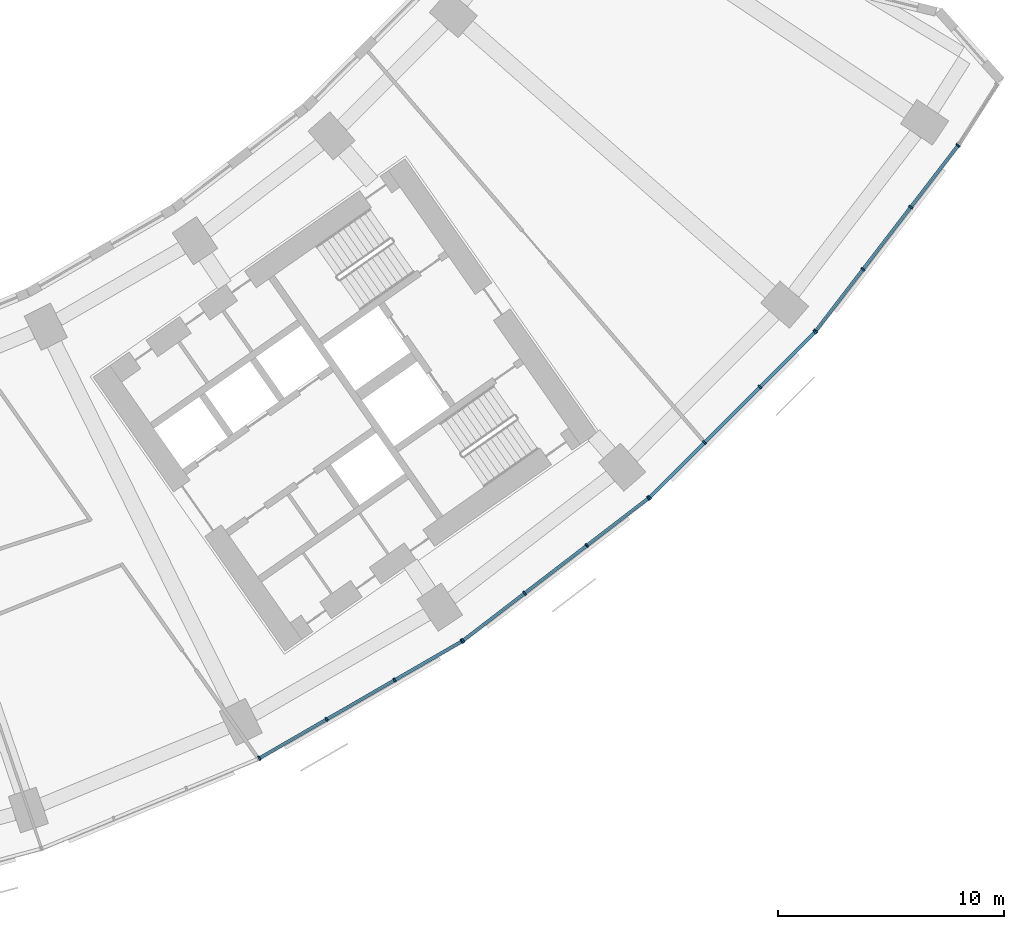
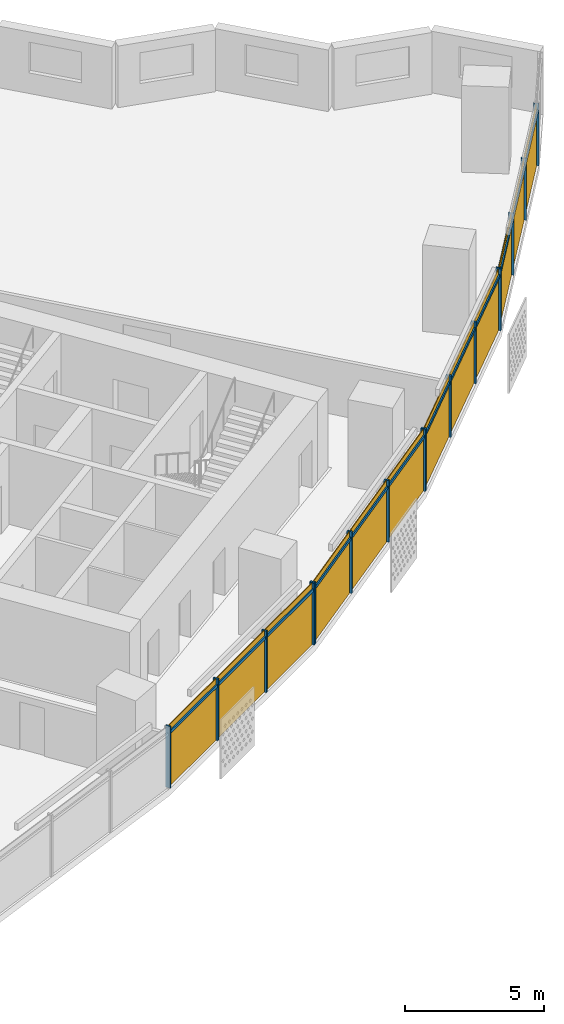
# One storey, part 22 of 31: 28 members, 4 curtain walls.
"""IFC4 building model written with IfcOpenShell, lengths in metres."""

from ifc_helpers import new_model, si_unit, direction, frame, origin, origin_2d, place, context, subcontext, project, spatial, rectangle, extrude, material, material_profile, profile_set, type_object, element, aggregate, save


model = new_model("IFC4")

# Units and contexts
model_context = context("Model", 3, precision=1e-05, world=origin(), true_north=direction((0.0, 1.0)))
body_context = subcontext(model_context, "Body", "Model", "MODEL_VIEW")
ifc_project = project(units=[si_unit("LENGTHUNIT", "METRE"), si_unit("AREAUNIT", "SQUARE_METRE"), si_unit("VOLUMEUNIT", "CUBIC_METRE"), si_unit("PLANEANGLEUNIT", "RADIAN"), si_unit("MASSUNIT", "GRAM", prefix="KILO")], contexts=[model_context])

# Member
ifc_material = material(Name="Aluminium 6063-T6 anodised", Category="aluminium")
ifc_material_profile_1 = material_profile(ifc_material, rectangle(XDim=0.199951171875, YDim=0.070068359375, at=origin_2d()))
ifc_profile_set_1 = profile_set([ifc_material_profile_1], Name="Aluminium 6063-T6 anodised")
member_type_1 = type_object("IfcMemberType", Name="Mullion 70 x 200 aluminium", PredefinedType="MULLION", material=ifc_profile_set_1)
site_placement = place(None, origin())
building_placement = place(site_placement, origin())
storey_placement = place(building_placement, frame((0.0, 0.0, 82.300048828125)))
member_1_placement = place(storey_placement, frame((35.20849609375, -71.331787109375, 0.0), z_axis=(0.0, 0.0, 1.0), x_axis=(-0.5, 0.866025403784, 0.0)))
member_1 = element("IfcMember", 1, at=member_1_placement, type_object=member_type_1, Name="e-cw1-L17-out12/M00", PredefinedType="MULLION", context=body_context, shape_type="SweptSolid", body=[
    extrude(rectangle(XDim=0.199951171875, YDim=0.070068359375, at=origin_2d()), origin(), (0.0, 0.0, 1.0), 2.699951171875),
])

member_2_placement = place(storey_placement, frame((38.18603515625, -69.61279296875, 0.0), z_axis=(0.0, 0.0, 1.0), x_axis=(-0.5, 0.866025403784, 0.0)))
member_2 = element("IfcMember", 2, at=member_2_placement, type_object=member_type_1, Name="e-cw1-L17-out12/M01", PredefinedType="MULLION", context=body_context, shape_type="SweptSolid", body=[
    extrude(rectangle(XDim=0.199951171875, YDim=0.070068359375, at=origin_2d()), origin(), (0.0, 0.0, 1.0), 2.699951171875),
])

member_3_placement = place(storey_placement, frame((41.193603515625, -67.87646484375, 0.0), z_axis=(0.0, 0.0, 1.0), x_axis=(-0.5, 0.866025403784, 0.0)))
member_3 = element("IfcMember", 3, at=member_3_placement, type_object=member_type_1, Name="e-cw1-L17-out12/M02", PredefinedType="MULLION", context=body_context, shape_type="SweptSolid", body=[
    extrude(rectangle(XDim=0.199951171875, YDim=0.070068359375, at=origin_2d()), origin(), (0.0, 0.0, 1.0), 2.699951171875),
])

member_4_placement = place(storey_placement, frame((44.1708984375, -66.157470703125, 0.0), z_axis=(0.0, 0.0, 1.0), x_axis=(-0.5, 0.866025403784, 0.0)))
member_4 = element("IfcMember", 4, at=member_4_placement, type_object=member_type_1, Name="e-cw1-L17-out12/M03", PredefinedType="MULLION", context=body_context, shape_type="SweptSolid", body=[
    extrude(rectangle(XDim=0.199951171875, YDim=0.070068359375, at=origin_2d()), origin(), (0.0, 0.0, 1.0), 2.699951171875),
])

member_5_placement = place(storey_placement, frame((44.218017578125, -66.1259765625, 0.0), z_axis=(0.0, 0.0, 1.0), x_axis=(-0.608761429009, 0.793353340291, 0.0)))
member_5 = element("IfcMember", 5, at=member_5_placement, type_object=member_type_1, Name="e-cw1-L17-out13/M00", PredefinedType="MULLION", context=body_context, shape_type="SweptSolid", body=[
    extrude(rectangle(XDim=0.199951171875, YDim=0.070068359375, at=origin_2d()), origin(), (0.0, 0.0, 1.0), 2.699951171875),
])

member_6_placement = place(storey_placement, frame((46.945556640625, -64.032958984375, 0.0), z_axis=(0.0, 0.0, 1.0), x_axis=(-0.608761429009, 0.793353340291, 0.0)))
member_6 = element("IfcMember", 6, at=member_6_placement, type_object=member_type_1, Name="e-cw1-L17-out13/M01", PredefinedType="MULLION", context=body_context, shape_type="SweptSolid", body=[
    extrude(rectangle(XDim=0.199951171875, YDim=0.070068359375, at=origin_2d()), origin(), (0.0, 0.0, 1.0), 2.699951171875),
])

member_7_placement = place(storey_placement, frame((49.70068359375, -61.9189453125, 0.0), z_axis=(0.0, 0.0, 1.0), x_axis=(-0.608761429009, 0.793353340291, 0.0)))
member_7 = element("IfcMember", 7, at=member_7_placement, type_object=member_type_1, Name="e-cw1-L17-out13/M02", PredefinedType="MULLION", context=body_context, shape_type="SweptSolid", body=[
    extrude(rectangle(XDim=0.199951171875, YDim=0.070068359375, at=origin_2d()), origin(), (0.0, 0.0, 1.0), 2.699951171875),
])

member_8_placement = place(storey_placement, frame((52.42822265625, -59.825927734375, 0.0), z_axis=(0.0, 0.0, 1.0), x_axis=(-0.608761429009, 0.793353340291, 0.0)))
member_8 = element("IfcMember", 8, at=member_8_placement, type_object=member_type_1, Name="e-cw1-L17-out13/M03", PredefinedType="MULLION", context=body_context, shape_type="SweptSolid", body=[
    extrude(rectangle(XDim=0.199951171875, YDim=0.070068359375, at=origin_2d()), origin(), (0.0, 0.0, 1.0), 2.699951171875),
])

member_9_placement = place(storey_placement, frame((52.470947265625, -59.78857421875, 0.0), z_axis=(0.0, 0.0, 1.0), x_axis=(-0.707106781187, 0.707106781187, 0.0)))
member_9 = element("IfcMember", 9, at=member_9_placement, type_object=member_type_1, Name="e-cw1-L17-out14/M00", PredefinedType="MULLION", context=body_context, shape_type="SweptSolid", body=[
    extrude(rectangle(XDim=0.199951171875, YDim=0.070068359375, at=origin_2d()), origin(), (0.0, 0.0, 1.0), 2.699951171875),
])

member_10_placement = place(storey_placement, frame((54.90185546875, -57.357666015625, 0.0), z_axis=(0.0, 0.0, 1.0), x_axis=(-0.707106781187, 0.707106781187, 0.0)))
member_10 = element("IfcMember", 10, at=member_10_placement, type_object=member_type_1, Name="e-cw1-L17-out14/M01", PredefinedType="MULLION", context=body_context, shape_type="SweptSolid", body=[
    extrude(rectangle(XDim=0.199951171875, YDim=0.070068359375, at=origin_2d()), origin(), (0.0, 0.0, 1.0), 2.699951171875),
])

member_11_placement = place(storey_placement, frame((57.357666015625, -54.90185546875, 0.0), z_axis=(0.0, 0.0, 1.0), x_axis=(-0.707106781187, 0.707106781187, 0.0)))
member_11 = element("IfcMember", 11, at=member_11_placement, type_object=member_type_1, Name="e-cw1-L17-out14/M02", PredefinedType="MULLION", context=body_context, shape_type="SweptSolid", body=[
    extrude(rectangle(XDim=0.199951171875, YDim=0.070068359375, at=origin_2d()), origin(), (0.0, 0.0, 1.0), 2.699951171875),
])

member_12_placement = place(storey_placement, frame((59.78857421875, -52.470947265625, 0.0), z_axis=(0.0, 0.0, 1.0), x_axis=(-0.707106781187, 0.707106781187, 0.0)))
member_12 = element("IfcMember", 12, at=member_12_placement, type_object=member_type_1, Name="e-cw1-L17-out14/M03", PredefinedType="MULLION", context=body_context, shape_type="SweptSolid", body=[
    extrude(rectangle(XDim=0.199951171875, YDim=0.070068359375, at=origin_2d()), origin(), (0.0, 0.0, 1.0), 2.699951171875),
])

member_13_placement = place(storey_placement, frame((59.825927734375, -52.42822265625, 0.0), z_axis=(0.0, 0.0, 1.0), x_axis=(-0.793353340291, 0.608761429009, 0.0)))
member_13 = element("IfcMember", 13, at=member_13_placement, type_object=member_type_1, Name="e-cw1-L17-out15/M00", PredefinedType="MULLION", context=body_context, shape_type="SweptSolid", body=[
    extrude(rectangle(XDim=0.199951171875, YDim=0.070068359375, at=origin_2d()), origin(), (0.0, 0.0, 1.0), 2.699951171875),
])

member_14_placement = place(storey_placement, frame((61.9189453125, -49.70068359375, 0.0), z_axis=(0.0, 0.0, 1.0), x_axis=(-0.793353340291, 0.608761429009, 0.0)))
member_14 = element("IfcMember", 14, at=member_14_placement, type_object=member_type_1, Name="e-cw1-L17-out15/M01", PredefinedType="MULLION", context=body_context, shape_type="SweptSolid", body=[
    extrude(rectangle(XDim=0.199951171875, YDim=0.070068359375, at=origin_2d()), origin(), (0.0, 0.0, 1.0), 2.699951171875),
])

member_15_placement = place(storey_placement, frame((64.032958984375, -46.945556640625, 0.0), z_axis=(0.0, 0.0, 1.0), x_axis=(-0.793353340291, 0.608761429009, 0.0)))
member_15 = element("IfcMember", 15, at=member_15_placement, type_object=member_type_1, Name="e-cw1-L17-out15/M02", PredefinedType="MULLION", context=body_context, shape_type="SweptSolid", body=[
    extrude(rectangle(XDim=0.199951171875, YDim=0.070068359375, at=origin_2d()), origin(), (0.0, 0.0, 1.0), 2.699951171875),
])

member_16_placement = place(storey_placement, frame((66.1259765625, -44.218017578125, 0.0), z_axis=(0.0, 0.0, 1.0), x_axis=(-0.793353340291, 0.608761429009, 0.0)))
member_16 = element("IfcMember", 16, at=member_16_placement, type_object=member_type_1, Name="e-cw1-L17-out15/M03", PredefinedType="MULLION", context=body_context, shape_type="SweptSolid", body=[
    extrude(rectangle(XDim=0.199951171875, YDim=0.070068359375, at=origin_2d()), origin(), (0.0, 0.0, 1.0), 2.699951171875),
])

ifc_material_profile_2 = material_profile(ifc_material, rectangle(XDim=0.139892578125, YDim=0.1201171875, at=origin_2d()))
ifc_profile_set_2 = profile_set([ifc_material_profile_2], Name="Aluminium 6063-T6 anodised")
member_type_2 = type_object("IfcMemberType", Name="Transom 120 x 140 aluminium", PredefinedType="USERDEFINED", material=ifc_profile_set_2)
member_17_placement = place(storey_placement, frame((35.239013671875, -71.314208984375, 2.39990234375), z_axis=(0.866026229868, 0.499998569178, 0.0), x_axis=(-0.499998569178, 0.866026229868, 0.0)))
member_17 = element("IfcMember", 17, at=member_17_placement, type_object=member_type_2, Name="e-cw1-L17-out12/T00", ObjectType="TRANSOM", PredefinedType="USERDEFINED", context=body_context, shape_type="SweptSolid", body=[
    extrude(rectangle(XDim=0.139892578125, YDim=0.1201171875, at=origin_2d()), origin(), (0.0, 0.0, 1.0), 3.36767578125),
])

member_18_placement = place(storey_placement, frame((38.21630859375, -69.595458984375, 2.39990234375), z_axis=(0.866000398227, 0.500043308395, 0.0), x_axis=(-0.500043308395, 0.866000398227, 0.0)))
member_18 = element("IfcMember", 18, at=member_18_placement, type_object=member_type_2, Name="e-cw1-L17-out12/T01", ObjectType="TRANSOM", PredefinedType="USERDEFINED", context=body_context, shape_type="SweptSolid", body=[
    extrude(rectangle(XDim=0.139892578125, YDim=0.1201171875, at=origin_2d()), origin(), (0.0, 0.0, 1.0), 3.403076171875),
])

member_19_placement = place(storey_placement, frame((41.223876953125, -67.85888671875, 2.39990234375), z_axis=(0.866044351828, 0.49996717959, 0.0), x_axis=(-0.49996717959, 0.866044351828, 0.0)))
member_19 = element("IfcMember", 19, at=member_19_placement, type_object=member_type_2, Name="e-cw1-L17-out12/T02", ObjectType="TRANSOM", PredefinedType="USERDEFINED", context=body_context, shape_type="SweptSolid", body=[
    extrude(rectangle(XDim=0.139892578125, YDim=0.1201171875, at=origin_2d()), origin(), (0.0, 0.0, 1.0), 3.367919921875),
])

member_20_placement = place(storey_placement, frame((44.245849609375, -66.1044921875, 2.39990234375), z_axis=(0.793375276742, 0.608732839803, 0.0), x_axis=(-0.608732839803, 0.793375276742, 0.0)))
member_20 = element("IfcMember", 20, at=member_20_placement, type_object=member_type_2, Name="e-cw1-L17-out13/T00", ObjectType="TRANSOM", PredefinedType="USERDEFINED", context=body_context, shape_type="SweptSolid", body=[
    extrude(rectangle(XDim=0.139892578125, YDim=0.1201171875, at=origin_2d()), origin(), (0.0, 0.0, 1.0), 3.36767578125),
])

member_21_placement = place(storey_placement, frame((46.973388671875, -64.01171875, 2.39990234375), z_axis=(0.793356868815, 0.60875683052, 0.0), x_axis=(-0.60875683052, 0.793356868815, 0.0)))
member_21 = element("IfcMember", 21, at=member_21_placement, type_object=member_type_2, Name="e-cw1-L17-out13/T01", ObjectType="TRANSOM", PredefinedType="USERDEFINED", context=body_context, shape_type="SweptSolid", body=[
    extrude(rectangle(XDim=0.139892578125, YDim=0.1201171875, at=origin_2d()), origin(), (0.0, 0.0, 1.0), 3.40283203125),
])

member_22_placement = place(storey_placement, frame((49.728515625, -61.8974609375, 2.39990234375), z_axis=(0.793375276742, 0.608732839803, 0.0), x_axis=(-0.608732839803, 0.793375276742, 0.0)))
member_22 = element("IfcMember", 22, at=member_22_placement, type_object=member_type_2, Name="e-cw1-L17-out13/T02", ObjectType="TRANSOM", PredefinedType="USERDEFINED", context=body_context, shape_type="SweptSolid", body=[
    extrude(rectangle(XDim=0.139892578125, YDim=0.1201171875, at=origin_2d()), origin(), (0.0, 0.0, 1.0), 3.36767578125),
])

member_23_placement = place(storey_placement, frame((52.49560546875, -59.763916015625, 2.39990234375), z_axis=(0.707106781187, 0.707106781187, 0.0), x_axis=(-0.707106781187, 0.707106781187, 0.0)))
member_23 = element("IfcMember", 23, at=member_23_placement, type_object=member_type_2, Name="e-cw1-L17-out14/T00", ObjectType="TRANSOM", PredefinedType="USERDEFINED", context=body_context, shape_type="SweptSolid", body=[
    extrude(rectangle(XDim=0.139892578125, YDim=0.1201171875, at=origin_2d()), origin(), (0.0, 0.0, 1.0), 3.3681640625),
])

member_24_placement = place(storey_placement, frame((54.9267578125, -57.332763671875, 2.39990234375), z_axis=(0.707106781187, 0.707106781187, 0.0), x_axis=(-0.707106781187, 0.707106781187, 0.0)))
member_24 = element("IfcMember", 24, at=member_24_placement, type_object=member_type_2, Name="e-cw1-L17-out14/T01", ObjectType="TRANSOM", PredefinedType="USERDEFINED", context=body_context, shape_type="SweptSolid", body=[
    extrude(rectangle(XDim=0.139892578125, YDim=0.1201171875, at=origin_2d()), origin(), (0.0, 0.0, 1.0), 3.402587890625),
])

member_25_placement = place(storey_placement, frame((57.38232421875, -54.877197265625, 2.39990234375), z_axis=(0.707106781187, 0.707106781187, 0.0), x_axis=(-0.707106781187, 0.707106781187, 0.0)))
member_25 = element("IfcMember", 25, at=member_25_placement, type_object=member_type_2, Name="e-cw1-L17-out14/T02", ObjectType="TRANSOM", PredefinedType="USERDEFINED", context=body_context, shape_type="SweptSolid", body=[
    extrude(rectangle(XDim=0.139892578125, YDim=0.1201171875, at=origin_2d()), origin(), (0.0, 0.0, 1.0), 3.3681640625),
])

member_26_placement = place(storey_placement, frame((59.847412109375, -52.400390625, 2.39990234375), z_axis=(0.608732839803, 0.793375276742, 0.0), x_axis=(-0.793375276742, 0.608732839803, 0.0)))
member_26 = element("IfcMember", 26, at=member_26_placement, type_object=member_type_2, Name="e-cw1-L17-out15/T00", ObjectType="TRANSOM", PredefinedType="USERDEFINED", context=body_context, shape_type="SweptSolid", body=[
    extrude(rectangle(XDim=0.139892578125, YDim=0.1201171875, at=origin_2d()), origin(), (0.0, 0.0, 1.0), 3.36767578125),
])

member_27_placement = place(storey_placement, frame((61.940185546875, -49.673095703125, 2.39990234375), z_axis=(0.60875683052, 0.793356868815, 0.0), x_axis=(-0.793356868815, 0.60875683052, 0.0)))
member_27 = element("IfcMember", 27, at=member_27_placement, type_object=member_type_2, Name="e-cw1-L17-out15/T01", ObjectType="TRANSOM", PredefinedType="USERDEFINED", context=body_context, shape_type="SweptSolid", body=[
    extrude(rectangle(XDim=0.139892578125, YDim=0.1201171875, at=origin_2d()), origin(), (0.0, 0.0, 1.0), 3.40283203125),
])

member_28_placement = place(storey_placement, frame((64.054443359375, -46.917724609375, 2.39990234375), z_axis=(0.608732839803, 0.793375276742, 0.0), x_axis=(-0.793375276742, 0.608732839803, 0.0)))
member_28 = element("IfcMember", 28, at=member_28_placement, type_object=member_type_2, Name="e-cw1-L17-out15/T02", ObjectType="TRANSOM", PredefinedType="USERDEFINED", context=body_context, shape_type="SweptSolid", body=[
    extrude(rectangle(XDim=0.139892578125, YDim=0.1201171875, at=origin_2d()), origin(), (0.0, 0.0, 1.0), 3.36767578125),
])

# Site, building, storey
site = spatial("IfcSite", under=ifc_project, at=site_placement, CompositionType="ELEMENT")
building = spatial("IfcBuilding", under=site, at=building_placement, Name="Qamariyya Broadcast Tower", CompositionType="ELEMENT")
storey = spatial("IfcBuildingStorey", under=building, at=storey_placement, Name="L17", CompositionType="ELEMENT", Elevation=82.300048828125)

# Curtain wall
curtain_wall_type = type_object("IfcCurtainWallType", Name="Unitised curtain wall, anodised aluminium", PredefinedType="NOTDEFINED", material=ifc_material)
curtain_wall_1_placement = place(storey_placement, origin())
curtain_wall_1 = element("IfcCurtainWall", 29, at=curtain_wall_1_placement, inside=storey, type_object=curtain_wall_type, Name="e-cw1-L17-out12", PredefinedType="NOTDEFINED", context=body_context, shape_type="SweptSolid", body=[
    extrude(rectangle(XDim=3.367919921875, YDim=0.031982421875, at=origin_2d()), frame((36.697265625, -70.472412109375, 0.0), x_axis=(0.86602247392, 0.500005074639, 0.0)), (0.0, 0.0, 1.0), 2.340087890625),
    extrude(rectangle(XDim=3.367919921875, YDim=0.031982421875, at=origin_2d()), frame((36.697265625, -70.472412109375, 2.4599609375), x_axis=(0.86602247392, 0.500005074639, 0.0)), (0.0, 0.0, 1.0), 0.239990234375),
    extrude(rectangle(XDim=3.40283203125, YDim=0.031982421875, at=origin_2d()), frame((39.689697265625, -68.74462890625, 0.0), x_axis=(0.86602247392, 0.500005074639, 0.0)), (0.0, 0.0, 1.0), 2.340087890625),
    extrude(rectangle(XDim=3.40283203125, YDim=0.031982421875, at=origin_2d()), frame((39.689697265625, -68.74462890625, 2.4599609375), x_axis=(0.86602247392, 0.500005074639, 0.0)), (0.0, 0.0, 1.0), 0.239990234375),
    extrude(rectangle(XDim=3.367919921875, YDim=0.031982421875, at=origin_2d()), frame((42.68212890625, -67.016845703125, 0.0), x_axis=(0.86602247392, 0.500005074639, 0.0)), (0.0, 0.0, 1.0), 2.340087890625),
    extrude(rectangle(XDim=3.367919921875, YDim=0.031982421875, at=origin_2d()), frame((42.68212890625, -67.016845703125, 2.4599609375), x_axis=(0.86602247392, 0.500005074639, 0.0)), (0.0, 0.0, 1.0), 0.239990234375),
])

aggregate(curtain_wall_1, [member_1, member_2, member_3, member_4, member_17, member_18, member_19])

curtain_wall_2_placement = place(storey_placement, origin())
curtain_wall_2 = element("IfcCurtainWall", 30, at=curtain_wall_2_placement, inside=storey, type_object=curtain_wall_type, Name="e-cw1-L17-out13", PredefinedType="NOTDEFINED", context=body_context, shape_type="SweptSolid", body=[
    extrude(rectangle(XDim=3.367919921875, YDim=0.031982421875, at=origin_2d()), frame((45.581787109375, -65.07958984375, 0.0), x_axis=(0.79335775203, 0.608755679475, 0.0)), (0.0, 0.0, 1.0), 2.340087890625),
    extrude(rectangle(XDim=3.367919921875, YDim=0.031982421875, at=origin_2d()), frame((45.581787109375, -65.07958984375, 2.4599609375), x_axis=(0.79335775203, 0.608755679475, 0.0)), (0.0, 0.0, 1.0), 0.239990234375),
    extrude(rectangle(XDim=3.40283203125, YDim=0.031982421875, at=origin_2d()), frame((48.3232421875, -62.97607421875, 0.0), x_axis=(0.79335775203, 0.608755679475, 0.0)), (0.0, 0.0, 1.0), 2.340087890625),
    extrude(rectangle(XDim=3.40283203125, YDim=0.031982421875, at=origin_2d()), frame((48.3232421875, -62.97607421875, 2.4599609375), x_axis=(0.79335775203, 0.608755679475, 0.0)), (0.0, 0.0, 1.0), 0.239990234375),
    extrude(rectangle(XDim=3.367919921875, YDim=0.031982421875, at=origin_2d()), frame((51.064453125, -60.872314453125, 0.0), x_axis=(0.79335775203, 0.608755679475, 0.0)), (0.0, 0.0, 1.0), 2.340087890625),
    extrude(rectangle(XDim=3.367919921875, YDim=0.031982421875, at=origin_2d()), frame((51.064453125, -60.872314453125, 2.4599609375), x_axis=(0.79335775203, 0.608755679475, 0.0)), (0.0, 0.0, 1.0), 0.239990234375),
])

aggregate(curtain_wall_2, [member_5, member_6, member_7, member_8, member_20, member_21, member_22])

curtain_wall_3_placement = place(storey_placement, origin())
curtain_wall_3 = element("IfcCurtainWall", 31, at=curtain_wall_3_placement, inside=storey, type_object=curtain_wall_type, Name="e-cw1-L17-out14", PredefinedType="NOTDEFINED", context=body_context, shape_type="SweptSolid", body=[
    extrude(rectangle(XDim=3.367919921875, YDim=0.031982421875, at=origin_2d()), frame((53.6865234375, -58.572998046875, 0.0), x_axis=(0.707106781187, 0.707106781187, 0.0)), (0.0, 0.0, 1.0), 2.340087890625),
    extrude(rectangle(XDim=3.367919921875, YDim=0.031982421875, at=origin_2d()), frame((53.6865234375, -58.572998046875, 2.4599609375), x_axis=(0.707106781187, 0.707106781187, 0.0)), (0.0, 0.0, 1.0), 0.239990234375),
    extrude(rectangle(XDim=3.40283203125, YDim=0.031982421875, at=origin_2d()), frame((56.1298828125, -56.1298828125, 0.0), x_axis=(0.707106781187, 0.707106781187, 0.0)), (0.0, 0.0, 1.0), 2.340087890625),
    extrude(rectangle(XDim=3.40283203125, YDim=0.031982421875, at=origin_2d()), frame((56.1298828125, -56.1298828125, 2.4599609375), x_axis=(0.707106781187, 0.707106781187, 0.0)), (0.0, 0.0, 1.0), 0.239990234375),
    extrude(rectangle(XDim=3.367919921875, YDim=0.031982421875, at=origin_2d()), frame((58.572998046875, -53.6865234375, 0.0), x_axis=(0.707106781187, 0.707106781187, 0.0)), (0.0, 0.0, 1.0), 2.340087890625),
    extrude(rectangle(XDim=3.367919921875, YDim=0.031982421875, at=origin_2d()), frame((58.572998046875, -53.6865234375, 2.4599609375), x_axis=(0.707106781187, 0.707106781187, 0.0)), (0.0, 0.0, 1.0), 0.239990234375),
])

aggregate(curtain_wall_3, [member_9, member_10, member_11, member_12, member_23, member_24, member_25])

curtain_wall_4_placement = place(storey_placement, origin())
curtain_wall_4 = element("IfcCurtainWall", 32, at=curtain_wall_4_placement, inside=storey, type_object=curtain_wall_type, Name="e-cw1-L17-out15", PredefinedType="NOTDEFINED", context=body_context, shape_type="SweptSolid", body=[
    extrude(rectangle(XDim=3.367919921875, YDim=0.031982421875, at=origin_2d()), frame((60.872314453125, -51.064453125, 0.0), x_axis=(0.608755679475, 0.79335775203, 0.0)), (0.0, 0.0, 1.0), 2.340087890625),
    extrude(rectangle(XDim=3.367919921875, YDim=0.031982421875, at=origin_2d()), frame((60.872314453125, -51.064453125, 2.4599609375), x_axis=(0.608755679475, 0.79335775203, 0.0)), (0.0, 0.0, 1.0), 0.239990234375),
    extrude(rectangle(XDim=3.40283203125, YDim=0.031982421875, at=origin_2d()), frame((62.97607421875, -48.3232421875, 0.0), x_axis=(0.608755679475, 0.79335775203, 0.0)), (0.0, 0.0, 1.0), 2.340087890625),
    extrude(rectangle(XDim=3.40283203125, YDim=0.031982421875, at=origin_2d()), frame((62.97607421875, -48.3232421875, 2.4599609375), x_axis=(0.608755679475, 0.79335775203, 0.0)), (0.0, 0.0, 1.0), 0.239990234375),
    extrude(rectangle(XDim=3.367919921875, YDim=0.031982421875, at=origin_2d()), frame((65.07958984375, -45.581787109375, 0.0), x_axis=(0.608755679475, 0.79335775203, 0.0)), (0.0, 0.0, 1.0), 2.340087890625),
    extrude(rectangle(XDim=3.367919921875, YDim=0.031982421875, at=origin_2d()), frame((65.07958984375, -45.581787109375, 2.4599609375), x_axis=(0.608755679475, 0.79335775203, 0.0)), (0.0, 0.0, 1.0), 0.239990234375),
])

aggregate(curtain_wall_4, [member_13, member_14, member_15, member_16, member_26, member_27, member_28])

save(model, "model.ifc")
